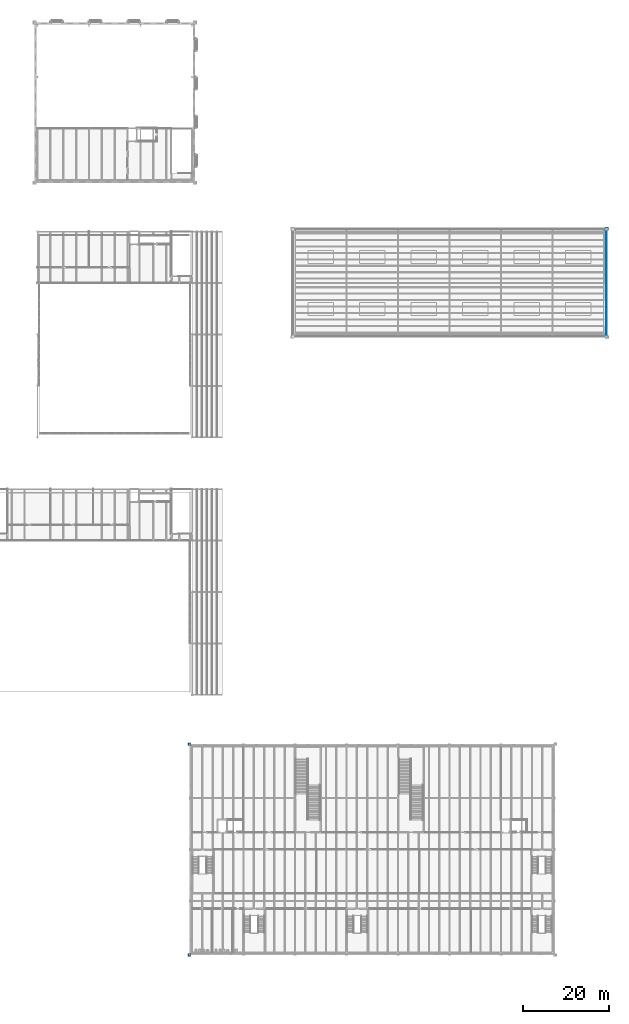
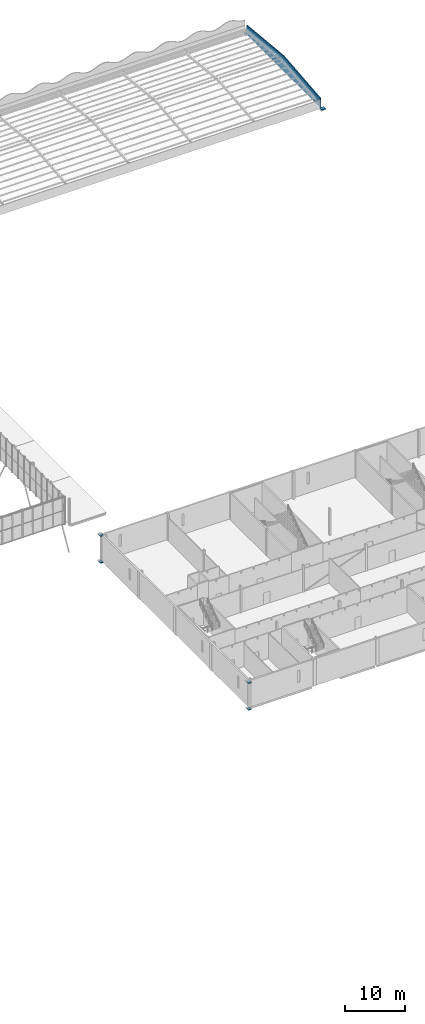
# One storey, part 121 of 170: 11 walls.
"""IFC4 building model written with IfcOpenShell, lengths in metres."""

from ifc_helpers import new_model, si_unit, direction, frame, frame_2d, origin, place, context, subcontext, project, spatial, polyline, rectangle, outline, extrude, material, layer, layer_set, type_object, element, save


model = new_model("IFC4")

# Units and contexts
model_context = context("Model", 3, precision=1e-05, world=origin(), true_north=direction((0.0, 1.0)))
body_context = subcontext(model_context, "Body", "Model", "MODEL_VIEW")
ifc_project = project(units=[si_unit("LENGTHUNIT", "METRE"), si_unit("AREAUNIT", "SQUARE_METRE"), si_unit("VOLUMEUNIT", "CUBIC_METRE"), si_unit("PLANEANGLEUNIT", "RADIAN"), si_unit("MASSUNIT", "GRAM", prefix="KILO")], contexts=[model_context])

# Site, building, storey
site_placement = place(None, origin())
site = spatial("IfcSite", under=ifc_project, at=site_placement, CompositionType="ELEMENT")
building_placement = place(site_placement, origin())
building = spatial("IfcBuilding", under=site, at=building_placement, Name="Ravi Spectrum Wholesale Market", CompositionType="ELEMENT")
storey_placement = place(building_placement, frame((0.0, 0.0, 5.39990234375)))
storey = spatial("IfcBuildingStorey", under=building, at=storey_placement, Name="L01", CompositionType="ELEMENT", Elevation=5.39990234375)

# Walls
ifc_material_1 = material(Name="Clinker brickwork", Category="masonry")
ifc_layer_1 = layer(ifc_material_1, 0.554931640625)
ifc_layer_set_1 = layer_set([ifc_layer_1], Name="Clinker brickwork")
wall_type_1 = type_object("IfcWallType", Name="Brick corbel 555", PredefinedType="SOLIDWALL", material=ifc_layer_set_1)
for number, where, z_axis, x_axis, name in (
    (1, (197.75, 17.472412109375, -0.389892578125), (0.0, 0.0, 1.0), (-1.0, 0.0, 0.0), "CS-WL-L01-031"),
    (2, (197.75, 66.527587890625, -0.389892578125), (0.0, 0.0, 1.0), (-1.0, 0.0, 0.0), "CS-WL-L01-040"),
):
    element("IfcWall", number, at=place(storey_placement, frame(where, z_axis=z_axis, x_axis=x_axis)), inside=storey, type_object=wall_type_1, Name=name, PredefinedType="SOLIDWALL", context=body_context, shape_type="SweptSolid", body=[
        extrude(rectangle(XDim=0.530029296875, YDim=0.554931640625, at=frame_2d((0.26513671875, 0.0))), origin(), (0.0, 0.0, 1.0), 0.1298828125),
    ])
for number, where, z_axis, x_axis, name in (
    (3, (197.75, 17.472412109375, 5.010009765625), (0.0, 0.0, 1.0), (-1.0, 0.0, 0.0), "CS-WL-L01-044"),
    (4, (197.75, 66.527587890625, 5.010009765625), (0.0, 0.0, 1.0), (-1.0, 0.0, 0.0), "CS-WL-L01-056"),
):
    element("IfcWall", number, at=place(storey_placement, frame(where, z_axis=z_axis, x_axis=x_axis)), inside=storey, type_object=wall_type_1, Name=name, PredefinedType="SOLIDWALL", context=body_context, shape_type="SweptSolid", body=[
        extrude(rectangle(XDim=0.530029296875, YDim=0.554931640625, at=frame_2d((0.26513671875, 0.0))), origin(), (0.0, 0.0, 1.0), 0.130126953125),
    ])
ifc_material_2 = material(Name="Clinker brickwork", Category="masonry")
ifc_layer_2 = layer(ifc_material_2, 0.625)
ifc_layer_set_2 = layer_set([ifc_layer_2], Name="Clinker brickwork")
wall_type_2 = type_object("IfcWallType", Name="Brick corbel 625", PredefinedType="SOLIDWALL", material=ifc_layer_set_2)
for number, where, z_axis, x_axis, name in (
    (5, (197.75, 17.4375, -0.260009765625), (0.0, 0.0, 1.0), (-1.0, 0.0, 0.0), "CS-WL-L01-032"),
    (6, (197.75, 66.5625, -0.260009765625), (0.0, 0.0, 1.0), (-1.0, 0.0, 0.0), "CS-WL-L01-041"),
):
    element("IfcWall", number, at=place(storey_placement, frame(where, z_axis=z_axis, x_axis=x_axis)), inside=storey, type_object=wall_type_2, Name=name, PredefinedType="SOLIDWALL", context=body_context, shape_type="SweptSolid", body=[
        extrude(rectangle(XDim=0.64501953125, YDim=0.625, at=frame_2d((0.322509765625, 0.0))), origin(), (0.0, 0.0, 1.0), 0.130126953125),
    ])
for number, where, z_axis, x_axis, name in (
    (7, (197.75, 17.4375, 5.14013671875), (0.0, 0.0, 1.0), (-1.0, 0.0, 0.0), "CS-WL-L01-045"),
    (8, (197.75, 66.5625, 5.14013671875), (0.0, 0.0, 1.0), (-1.0, 0.0, 0.0), "CS-WL-L01-057"),
):
    element("IfcWall", number, at=place(storey_placement, frame(where, z_axis=z_axis, x_axis=x_axis)), inside=storey, type_object=wall_type_2, Name=name, PredefinedType="SOLIDWALL", context=body_context, shape_type="SweptSolid", body=[
        extrude(rectangle(XDim=0.64501953125, YDim=0.625, at=frame_2d((0.322509765625, 0.0))), origin(), (0.0, 0.0, 1.0), 0.1298828125),
    ])
ifc_material_3 = material(Name="Clinker brickwork", Category="masonry")
ifc_layer_3 = layer(ifc_material_3, 0.735107421875)
ifc_layer_set_3 = layer_set([ifc_layer_3], Name="Clinker brickwork")
wall_type_3 = type_object("IfcWallType", Name="Brick corbel 735", PredefinedType="SOLIDWALL", material=ifc_layer_set_3)
for number, where, z_axis, x_axis, name in (
    (9, (294.25, 161.382568359375, -0.1298828125), (0.0, 0.0, 1.0), (1.0, 0.0, 0.0), "GS-WL-L01-010"),
    (10, (294.25, 186.617431640625, -0.1298828125), (0.0, 0.0, 1.0), (1.0, 0.0, 0.0), "GS-WL-L01-013"),
):
    element("IfcWall", number, at=place(storey_placement, frame(where, z_axis=z_axis, x_axis=x_axis)), inside=storey, type_object=wall_type_3, Name=name, PredefinedType="SOLIDWALL", context=body_context, shape_type="SweptSolid", body=[
        extrude(rectangle(XDim=0.800048828125, YDim=0.735107421875, at=frame_2d((0.39990234375, 0.0))), origin(), (0.0, 0.0, 1.0), 0.1298828125),
    ])
ifc_material_4 = material(Name="Insulated panel")
ifc_layer_4 = layer(ifc_material_4, 0.199951171875)
ifc_layer_set_4 = layer_set([ifc_layer_4], Name="Insulated panel")
wall_type_4 = type_object("IfcWallType", Name="Insulated sandwich panel 200", PredefinedType="SOLIDWALL", material=ifc_layer_set_4)
wall_placement = place(storey_placement, frame((294.489990234375, 161.75, 0.0), z_axis=(0.0, 0.0, 1.0), x_axis=(0.0, 1.0, 0.0)))
element("IfcWall", 11, at=wall_placement, inside=storey, type_object=wall_type_4, Name="GS-WL-L01-002", PredefinedType="SOLIDWALL", context=body_context, shape_type="SweptSolid", body=[
    extrude(outline(polyline([(0.0, 0.0), (24.5, 0.0), (24.5, 1.800048828125), (12.25, 3.0), (0.0, 1.800048828125), (0.0, 0.0)])), frame((0.0, 0.10009765625, 0.0), z_axis=(0.0, -1.0, 0.0), x_axis=(1.0, 0.0, 0.0)), (0.0, 0.0, 1.0), 0.199951171875),
])

save(model, "model.ifc")
